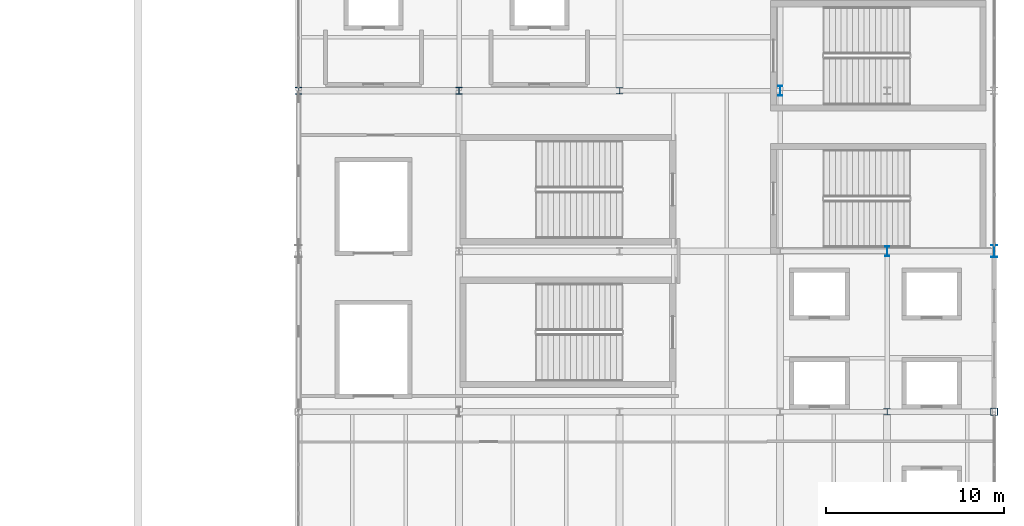
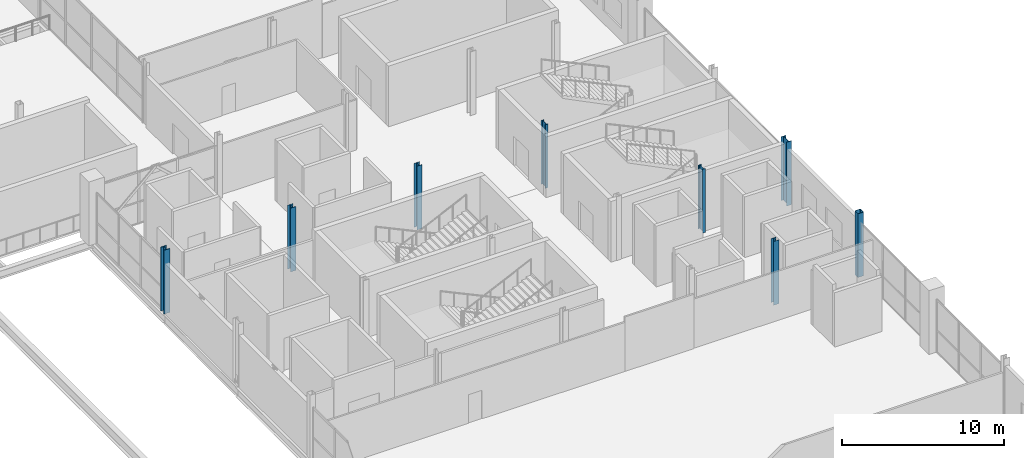
# One storey, part 4 of 50: 8 columns.
"""IFC4 building model written with IfcOpenShell, lengths in metres."""

from ifc_helpers import new_model, si_unit, direction, frame, origin, origin_2d, place, context, subcontext, project, spatial, hollow_rectangle, i_section, extrude, material, material_profile, profile_set, type_object, element, save


model = new_model("IFC4")

# Units and contexts
model_context = context("Model", 3, precision=1e-05, world=origin(), true_north=direction((0.0, 1.0)))
body_context = subcontext(model_context, "Body", "Model", "MODEL_VIEW")
ifc_project = project(units=[si_unit("LENGTHUNIT", "METRE"), si_unit("AREAUNIT", "SQUARE_METRE"), si_unit("VOLUMEUNIT", "CUBIC_METRE"), si_unit("PLANEANGLEUNIT", "RADIAN"), si_unit("MASSUNIT", "GRAM", prefix="KILO")], contexts=[model_context])

# Site, building, storey
site_placement = place(None, origin())
site = spatial("IfcSite", under=ifc_project, at=site_placement, CompositionType="ELEMENT")
building_placement = place(site_placement, origin())
building = spatial("IfcBuilding", under=site, at=building_placement, Name="Qamarlyn Nura Convention Centre", CompositionType="ELEMENT")
storey_placement = place(building_placement, frame((0.0, 0.0, 20.39990234375)))
storey = spatial("IfcBuildingStorey", under=building, at=storey_placement, Name="L04", CompositionType="ELEMENT", Elevation=20.39990234375)

# Columns
ifc_material_1 = material(Name="Steel ASTM A500 Grade C", Category="steel")
ifc_material_profile_1 = material_profile(ifc_material_1, hollow_rectangle(XDim=0.39990234375, YDim=0.39990234375, WallThickness=0.01611328125, InnerFilletRadius=0.01611328125, OuterFilletRadius=0.031982421875, at=origin_2d()), Name="HSS400X400X16")
ifc_profile_set_1 = profile_set([ifc_material_profile_1], Name="Steel ASTM A500 Grade C")
column_type_1 = type_object("IfcColumnType", Name="COL-HSS-1", PredefinedType="COLUMN", material=ifc_profile_set_1)
column_1_placement = place(storey_placement, frame((192.0, 54.0, 0.0), z_axis=(0.0, 0.0, 1.0), x_axis=(1.0, 0.0, 0.0)))
element("IfcColumn", 1, at=column_1_placement, inside=storey, type_object=column_type_1, Name="L04 column 18/G", PredefinedType="COLUMN", context=body_context, shape_type="SweptSolid", body=[
    extrude(hollow_rectangle(XDim=0.39990234375, YDim=0.39990234375, WallThickness=0.01611328125, InnerFilletRadius=0.01611328125, OuterFilletRadius=0.031982421875, at=origin_2d()), origin(), (0.0, 0.0, 1.0), 4.800048828125),
])
ifc_material_2 = material(Name="Steel ASTM A992", Category="steel")
ifc_material_profile_2 = material_profile(ifc_material_2, i_section(OverallWidth=0.408935546875, OverallDepth=0.425048828125, WebThickness=0.030517578125, FlangeThickness=0.049072265625, FilletRadius=0.02001953125, at=origin_2d()), Name="W360X421")
ifc_profile_set_2 = profile_set([ifc_material_profile_2], Name="Steel ASTM A992")
column_type_2 = type_object("IfcColumnType", Name="COL-MEGA-1", PredefinedType="COLUMN", material=ifc_profile_set_2)
column_2_placement = place(storey_placement, frame((153.0, 72.0, 0.0), z_axis=(0.0, 0.0, 1.0), x_axis=(1.0, 0.0, 0.0)))
element("IfcColumn", 2, at=column_2_placement, inside=storey, type_object=column_type_2, Name="L04 column 13/J", PredefinedType="COLUMN", context=body_context, shape_type="SweptSolid", body=[
    extrude(i_section(OverallWidth=0.408935546875, OverallDepth=0.425048828125, WebThickness=0.030517578125, FlangeThickness=0.049072265625, FilletRadius=0.02001953125, at=origin_2d()), origin(), (0.0, 0.0, 1.0), 4.800048828125),
])
ifc_material_profile_3 = material_profile(ifc_material_2, i_section(OverallWidth=0.3740234375, OverallDepth=0.3720703125, WebThickness=0.016357421875, FlangeThickness=0.026123046875, FilletRadius=0.01611328125, at=origin_2d()), Name="W360X196")
ifc_profile_set_3 = profile_set([ifc_material_profile_3], Name="Steel ASTM A992")
column_type_3 = type_object("IfcColumnType", Name="COL-WING-2", PredefinedType="COLUMN", material=ifc_profile_set_3)
column_3_placement = place(storey_placement, frame((162.0, 72.0, 0.0), z_axis=(0.0, 0.0, 1.0), x_axis=(1.0, 0.0, 0.0)))
element("IfcColumn", 3, at=column_3_placement, inside=storey, type_object=column_type_3, Name="L04 column 14/J", PredefinedType="COLUMN", context=body_context, shape_type="SweptSolid", body=[
    extrude(i_section(OverallWidth=0.3740234375, OverallDepth=0.3720703125, WebThickness=0.016357421875, FlangeThickness=0.026123046875, FilletRadius=0.01611328125, at=origin_2d()), origin(), (0.0, 0.0, 1.0), 4.800048828125),
])
ifc_material_profile_4 = material_profile(ifc_material_2, i_section(OverallWidth=0.368896484375, OverallDepth=0.35595703125, WebThickness=0.01123046875, FlangeThickness=0.01806640625, FilletRadius=0.014892578125, at=origin_2d()), Name="W360X134")
ifc_profile_set_4 = profile_set([ifc_material_profile_4], Name="Steel ASTM A992")
column_type_4 = type_object("IfcColumnType", Name="COL-WING-3", PredefinedType="COLUMN", material=ifc_profile_set_4)
for number, where, z_axis, x_axis, name in (
    (4, (171.0, 72.0, 0.0), (0.0, 0.0, 1.0), (1.0, 0.0, 0.0), "L04 column 15/J"),
    (5, (186.0, 54.0, 0.0), (0.0, 0.0, 1.0), (1.0, 0.0, 0.0), "L04 column 17/G"),
):
    element("IfcColumn", number, at=place(storey_placement, frame(where, z_axis=z_axis, x_axis=x_axis)), inside=storey, type_object=column_type_4, Name=name, PredefinedType="COLUMN", context=body_context, shape_type="SweptSolid", body=[
        extrude(i_section(OverallWidth=0.368896484375, OverallDepth=0.35595703125, WebThickness=0.01123046875, FlangeThickness=0.01806640625, FilletRadius=0.014892578125, at=origin_2d()), origin(), (0.0, 0.0, 1.0), 4.800048828125),
    ])
ifc_material_profile_5 = material_profile(ifc_material_2, i_section(OverallWidth=0.35498046875, OverallDepth=0.695068359375, WebThickness=0.015380859375, FlangeThickness=0.02490234375, FilletRadius=0.01806640625, at=origin_2d()), Name="W690X217")
ifc_profile_set_5 = profile_set([ifc_material_profile_5], Name="Steel ASTM A992")
column_type_5 = type_object("IfcColumnType", Name="COL-WING-5", PredefinedType="COLUMN", material=ifc_profile_set_5)
column_4_placement = place(storey_placement, frame((192.0, 63.0, 0.0), z_axis=(0.0, 0.0, 1.0), x_axis=(1.0, 0.0, 0.0)))
element("IfcColumn", 6, at=column_4_placement, inside=storey, type_object=column_type_5, Name="L04 column 18/H", PredefinedType="COLUMN", context=body_context, shape_type="SweptSolid", body=[
    extrude(i_section(OverallWidth=0.35498046875, OverallDepth=0.695068359375, WebThickness=0.015380859375, FlangeThickness=0.02490234375, FilletRadius=0.01806640625, at=origin_2d()), origin(), (0.0, 0.0, 1.0), 4.800048828125),
])
ifc_material_profile_6 = material_profile(ifc_material_2, i_section(OverallWidth=0.2109375, OverallDepth=0.5390625, WebThickness=0.01171875, FlangeThickness=0.018798828125, FilletRadius=0.013916015625, at=origin_2d()), Name="W530X109")
ifc_profile_set_6 = profile_set([ifc_material_profile_6], Name="Steel ASTM A992")
column_type_6 = type_object("IfcColumnType", Name="COL-WING-7", PredefinedType="COLUMN", material=ifc_profile_set_6)
for number, where, z_axis, x_axis, name in (
    (7, (180.0, 72.0, 0.0), (0.0, 0.0, 1.0), (1.0, 0.0, 0.0), "L04 column 16/J"),
    (8, (186.0, 63.0, 0.0), (0.0, 0.0, 1.0), (1.0, 0.0, 0.0), "L04 column 17/H"),
):
    element("IfcColumn", number, at=place(storey_placement, frame(where, z_axis=z_axis, x_axis=x_axis)), inside=storey, type_object=column_type_6, Name=name, PredefinedType="COLUMN", context=body_context, shape_type="SweptSolid", body=[
        extrude(i_section(OverallWidth=0.2109375, OverallDepth=0.5390625, WebThickness=0.01171875, FlangeThickness=0.018798828125, FilletRadius=0.013916015625, at=origin_2d()), origin(), (0.0, 0.0, 1.0), 4.800048828125),
    ])

save(model, "model.ifc")
